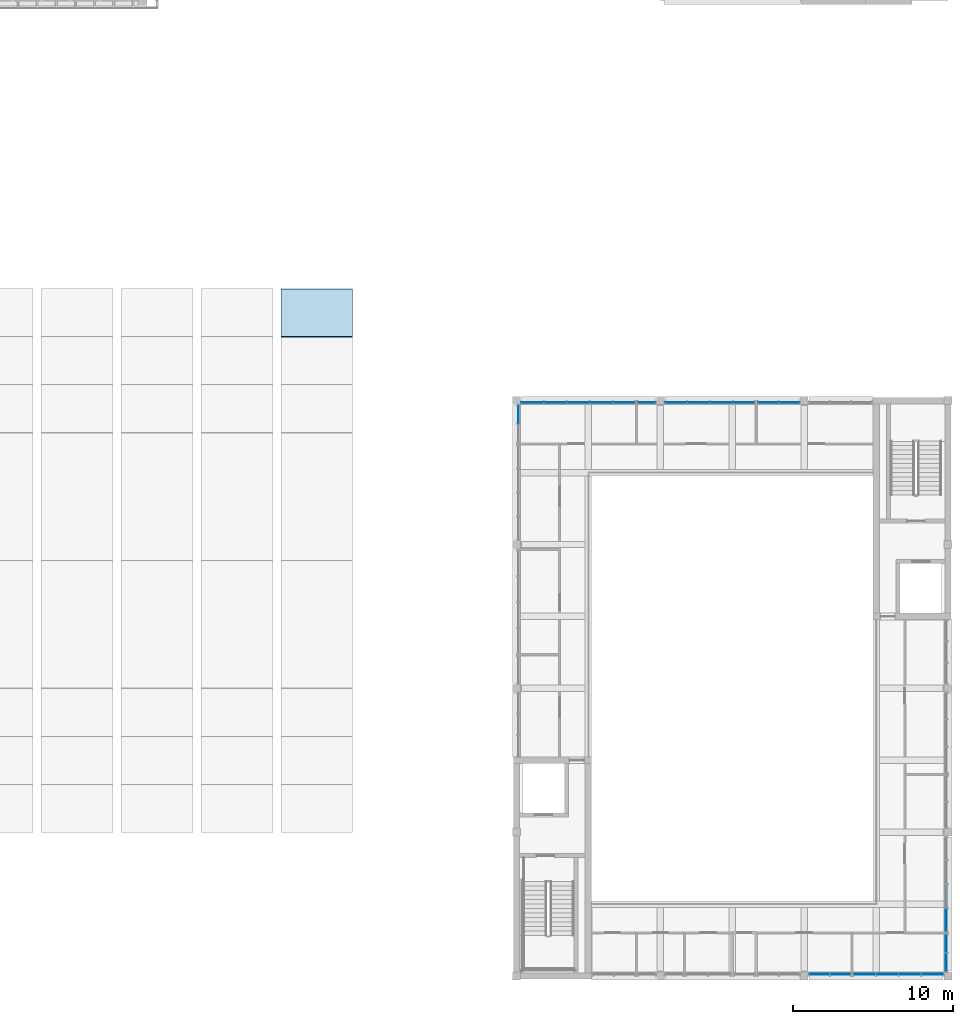
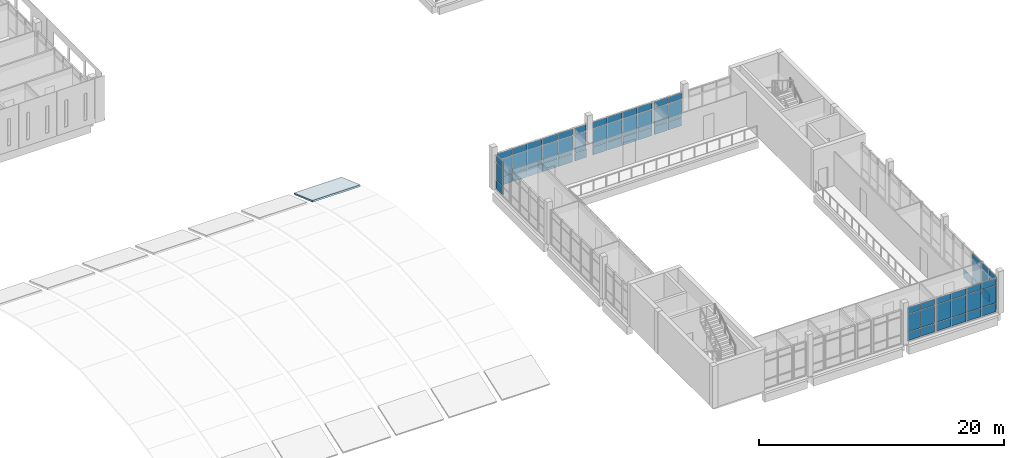
# One storey, part 32 of 74: 67 plates, 1 slab, 9 elements without a shape of their own.
"""IFC4 building model written with IfcOpenShell, lengths in metres."""

from ifc_helpers import new_model, si_unit, direction, frame, origin, origin_2d, place, context, subcontext, project, spatial, polyline, rectangle, outline, extrude, material, layer, layer_set, type_object, element, aggregate, save


model = new_model("IFC4")

# Units and contexts
model_context = context("Model", 3, precision=1e-05, world=origin(), true_north=direction((0.0, 1.0)))
body_context = subcontext(model_context, "Body", "Model", "MODEL_VIEW")
ifc_project = project(units=[si_unit("LENGTHUNIT", "METRE"), si_unit("AREAUNIT", "SQUARE_METRE"), si_unit("VOLUMEUNIT", "CUBIC_METRE"), si_unit("PLANEANGLEUNIT", "RADIAN"), si_unit("MASSUNIT", "GRAM", prefix="KILO")], contexts=[model_context])

# Site, building, storey
site_placement = place(None, origin())
site = spatial("IfcSite", under=ifc_project, at=site_placement, CompositionType="ELEMENT")
building_placement = place(site_placement, origin())
building = spatial("IfcBuilding", under=site, at=building_placement, Name="Merrow Basin Faculty of Sciences", CompositionType="ELEMENT")
storey_placement = place(building_placement, frame((0.0, 0.0, 13.5)))
storey = spatial("IfcBuildingStorey", under=building, at=storey_placement, Name="L03", CompositionType="ELEMENT", Elevation=13.5)

# Curtain wall, plates
ifc_material_1 = material(Name="Aluminium alloy 6063", Category="aluminium")
curtain_wall_type = type_object("IfcCurtainWallType", Name="Atrium unitised curtain wall 240", PredefinedType="NOTDEFINED", material=ifc_material_1)
curtain_wall_1_placement = place(storey_placement, origin())
curtain_wall_1 = element("IfcCurtainWall", 1, at=curtain_wall_1_placement, inside=storey, type_object=curtain_wall_type, Name="W curtain wall L03 5", PredefinedType="NOTDEFINED")
ifc_material_2 = material(Name="Low-E double glazing", Category="glass")
ifc_layer_1 = layer(ifc_material_2, 0.031982421875)
ifc_layer_set_1 = layer_set([ifc_layer_1], Name="Acoustic double glazed panel 32")
plate_type_1 = type_object("IfcPlateType", Name="Acoustic double glazed panel 32", PredefinedType="CURTAIN_PANEL", material=ifc_layer_set_1)
plate_1_placement = place(storey_placement, frame((45.1201171875, 35.135009765625, 0.93017578125), z_axis=(0.0, 0.0, 1.0), x_axis=(0.0, 1.0, 0.0)))
plate_1 = element("IfcPlate", 2, at=plate_1_placement, type_object=plate_type_1, Name="CW5 panel 2.2", PredefinedType="CURTAIN_PANEL", context=body_context, shape_type="SweptSolid", body=[
    extrude(rectangle(XDim=1.110107421875, YDim=0.031982421875, at=origin_2d()), origin(), (0.0, 0.0, 1.0), 1.739990234375),
])
plate_2_placement = place(storey_placement, frame((45.1201171875, 35.135009765625, 2.72998046875), z_axis=(0.0, 0.0, 1.0), x_axis=(0.0, 1.0, 0.0)))
plate_2 = element("IfcPlate", 3, at=plate_2_placement, type_object=plate_type_1, Name="CW5 panel 2.3", PredefinedType="CURTAIN_PANEL", context=body_context, shape_type="SweptSolid", body=[
    extrude(rectangle(XDim=1.110107421875, YDim=0.031982421875, at=origin_2d()), origin(), (0.0, 0.0, 1.0), 0.610107421875),
])

curtain_wall_2_placement = place(storey_placement, origin())
curtain_wall_2 = element("IfcCurtainWall", 4, at=curtain_wall_2_placement, inside=storey, type_object=curtain_wall_type, Name="N curtain wall L03 1", PredefinedType="NOTDEFINED")
plate_3_placement = place(storey_placement, frame((45.985107421875, 35.8798828125, 0.93017578125), z_axis=(0.0, 0.0, 1.0), x_axis=(1.0, 0.0, 0.0)))
plate_3 = element("IfcPlate", 5, at=plate_3_placement, type_object=plate_type_1, Name="CW5 panel 1.2", PredefinedType="CURTAIN_PANEL", context=body_context, shape_type="SweptSolid", body=[
    extrude(rectangle(XDim=1.35009765625, YDim=0.031982421875, at=origin_2d()), origin(), (0.0, 0.0, 1.0), 1.739990234375),
])
plate_4_placement = place(storey_placement, frame((45.985107421875, 35.8798828125, 2.72998046875), z_axis=(0.0, 0.0, 1.0), x_axis=(1.0, 0.0, 0.0)))
plate_4 = element("IfcPlate", 6, at=plate_4_placement, type_object=plate_type_1, Name="CW5 panel 1.3", PredefinedType="CURTAIN_PANEL", context=body_context, shape_type="SweptSolid", body=[
    extrude(rectangle(XDim=1.35009765625, YDim=0.031982421875, at=origin_2d()), origin(), (0.0, 0.0, 1.0), 0.610107421875),
])
plate_5_placement = place(storey_placement, frame((47.409912109375, 35.8798828125, 0.93017578125), z_axis=(0.0, 0.0, 1.0), x_axis=(1.0, 0.0, 0.0)))
plate_5 = element("IfcPlate", 7, at=plate_5_placement, type_object=plate_type_1, Name="CW5 panel 2.2", PredefinedType="CURTAIN_PANEL", context=body_context, shape_type="SweptSolid", body=[
    extrude(rectangle(XDim=1.3798828125, YDim=0.031982421875, at=origin_2d()), origin(), (0.0, 0.0, 1.0), 1.739990234375),
])
plate_6_placement = place(storey_placement, frame((47.409912109375, 35.8798828125, 2.72998046875), z_axis=(0.0, 0.0, 1.0), x_axis=(1.0, 0.0, 0.0)))
plate_6 = element("IfcPlate", 8, at=plate_6_placement, type_object=plate_type_1, Name="CW5 panel 2.3", PredefinedType="CURTAIN_PANEL", context=body_context, shape_type="SweptSolid", body=[
    extrude(rectangle(XDim=1.3798828125, YDim=0.031982421875, at=origin_2d()), origin(), (0.0, 0.0, 1.0), 0.610107421875),
])
plate_7_placement = place(storey_placement, frame((48.85009765625, 35.8798828125, 0.93017578125), z_axis=(0.0, 0.0, 1.0), x_axis=(1.0, 0.0, 0.0)))
plate_7 = element("IfcPlate", 9, at=plate_7_placement, type_object=plate_type_1, Name="CW5 panel 3.2", PredefinedType="CURTAIN_PANEL", context=body_context, shape_type="SweptSolid", body=[
    extrude(rectangle(XDim=1.3798828125, YDim=0.031982421875, at=origin_2d()), origin(), (0.0, 0.0, 1.0), 1.739990234375),
])
plate_8_placement = place(storey_placement, frame((48.85009765625, 35.8798828125, 2.72998046875), z_axis=(0.0, 0.0, 1.0), x_axis=(1.0, 0.0, 0.0)))
plate_8 = element("IfcPlate", 10, at=plate_8_placement, type_object=plate_type_1, Name="CW5 panel 3.3", PredefinedType="CURTAIN_PANEL", context=body_context, shape_type="SweptSolid", body=[
    extrude(rectangle(XDim=1.3798828125, YDim=0.031982421875, at=origin_2d()), origin(), (0.0, 0.0, 1.0), 0.610107421875),
])
plate_9_placement = place(storey_placement, frame((50.2900390625, 35.8798828125, 0.93017578125), z_axis=(0.0, 0.0, 1.0), x_axis=(1.0, 0.0, 0.0)))
plate_9 = element("IfcPlate", 11, at=plate_9_placement, type_object=plate_type_1, Name="CW5 panel 4.2", PredefinedType="CURTAIN_PANEL", context=body_context, shape_type="SweptSolid", body=[
    extrude(rectangle(XDim=1.3798828125, YDim=0.031982421875, at=origin_2d()), origin(), (0.0, 0.0, 1.0), 1.739990234375),
])
plate_10_placement = place(storey_placement, frame((50.2900390625, 35.8798828125, 2.72998046875), z_axis=(0.0, 0.0, 1.0), x_axis=(1.0, 0.0, 0.0)))
plate_10 = element("IfcPlate", 12, at=plate_10_placement, type_object=plate_type_1, Name="CW5 panel 4.3", PredefinedType="CURTAIN_PANEL", context=body_context, shape_type="SweptSolid", body=[
    extrude(rectangle(XDim=1.3798828125, YDim=0.031982421875, at=origin_2d()), origin(), (0.0, 0.0, 1.0), 0.610107421875),
])
plate_11_placement = place(storey_placement, frame((51.715087890625, 35.8798828125, 0.93017578125), z_axis=(0.0, 0.0, 1.0), x_axis=(1.0, 0.0, 0.0)))
plate_11 = element("IfcPlate", 13, at=plate_11_placement, type_object=plate_type_1, Name="CW5 panel 5.2", PredefinedType="CURTAIN_PANEL", context=body_context, shape_type="SweptSolid", body=[
    extrude(rectangle(XDim=1.35009765625, YDim=0.031982421875, at=origin_2d()), origin(), (0.0, 0.0, 1.0), 1.739990234375),
])
plate_12_placement = place(storey_placement, frame((51.715087890625, 35.8798828125, 2.72998046875), z_axis=(0.0, 0.0, 1.0), x_axis=(1.0, 0.0, 0.0)))
plate_12 = element("IfcPlate", 14, at=plate_12_placement, type_object=plate_type_1, Name="CW5 panel 5.3", PredefinedType="CURTAIN_PANEL", context=body_context, shape_type="SweptSolid", body=[
    extrude(rectangle(XDim=1.35009765625, YDim=0.031982421875, at=origin_2d()), origin(), (0.0, 0.0, 1.0), 0.610107421875),
])

curtain_wall_3_placement = place(storey_placement, origin())
curtain_wall_3 = element("IfcCurtainWall", 15, at=curtain_wall_3_placement, inside=storey, type_object=curtain_wall_type, Name="N curtain wall L03 2", PredefinedType="NOTDEFINED")
plate_13_placement = place(storey_placement, frame((53.14990234375, 35.8798828125, 0.93017578125), z_axis=(0.0, 0.0, 1.0), x_axis=(1.0, 0.0, 0.0)))
plate_13 = element("IfcPlate", 16, at=plate_13_placement, type_object=plate_type_1, Name="CW5 panel 1.2", PredefinedType="CURTAIN_PANEL", context=body_context, shape_type="SweptSolid", body=[
    extrude(rectangle(XDim=1.080078125, YDim=0.031982421875, at=origin_2d()), origin(), (0.0, 0.0, 1.0), 1.739990234375),
])
plate_14_placement = place(storey_placement, frame((53.14990234375, 35.8798828125, 2.72998046875), z_axis=(0.0, 0.0, 1.0), x_axis=(1.0, 0.0, 0.0)))
plate_14 = element("IfcPlate", 17, at=plate_14_placement, type_object=plate_type_1, Name="CW5 panel 1.3", PredefinedType="CURTAIN_PANEL", context=body_context, shape_type="SweptSolid", body=[
    extrude(rectangle(XDim=1.080078125, YDim=0.031982421875, at=origin_2d()), origin(), (0.0, 0.0, 1.0), 0.610107421875),
])

curtain_wall_4_placement = place(storey_placement, origin())
curtain_wall_4 = element("IfcCurtainWall", 18, at=curtain_wall_4_placement, inside=storey, type_object=curtain_wall_type, Name="N curtain wall L03 3", PredefinedType="NOTDEFINED")
plate_15_placement = place(storey_placement, frame((54.9775390625, 35.8798828125, 0.93017578125), z_axis=(0.0, 0.0, 1.0), x_axis=(1.0, 0.0, 0.0)))
plate_15 = element("IfcPlate", 19, at=plate_15_placement, type_object=plate_type_1, Name="CW5 panel 1.2", PredefinedType="CURTAIN_PANEL", context=body_context, shape_type="SweptSolid", body=[
    extrude(rectangle(XDim=1.3349609375, YDim=0.031982421875, at=origin_2d()), origin(), (0.0, 0.0, 1.0), 1.739990234375),
])
plate_16_placement = place(storey_placement, frame((54.9775390625, 35.8798828125, 2.72998046875), z_axis=(0.0, 0.0, 1.0), x_axis=(1.0, 0.0, 0.0)))
plate_16 = element("IfcPlate", 20, at=plate_16_placement, type_object=plate_type_1, Name="CW5 panel 1.3", PredefinedType="CURTAIN_PANEL", context=body_context, shape_type="SweptSolid", body=[
    extrude(rectangle(XDim=1.3349609375, YDim=0.031982421875, at=origin_2d()), origin(), (0.0, 0.0, 1.0), 0.610107421875),
])
plate_17_placement = place(storey_placement, frame((56.387451171875, 35.8798828125, 0.93017578125), z_axis=(0.0, 0.0, 1.0), x_axis=(1.0, 0.0, 0.0)))
plate_17 = element("IfcPlate", 21, at=plate_17_placement, type_object=plate_type_1, Name="CW5 panel 2.2", PredefinedType="CURTAIN_PANEL", context=body_context, shape_type="SweptSolid", body=[
    extrude(rectangle(XDim=1.364990234375, YDim=0.031982421875, at=origin_2d()), origin(), (0.0, 0.0, 1.0), 1.739990234375),
])
plate_18_placement = place(storey_placement, frame((56.387451171875, 35.8798828125, 2.72998046875), z_axis=(0.0, 0.0, 1.0), x_axis=(1.0, 0.0, 0.0)))
plate_18 = element("IfcPlate", 22, at=plate_18_placement, type_object=plate_type_1, Name="CW5 panel 2.3", PredefinedType="CURTAIN_PANEL", context=body_context, shape_type="SweptSolid", body=[
    extrude(rectangle(XDim=1.364990234375, YDim=0.031982421875, at=origin_2d()), origin(), (0.0, 0.0, 1.0), 0.610107421875),
])
plate_19_placement = place(storey_placement, frame((57.8125, 35.8798828125, 0.93017578125), z_axis=(0.0, 0.0, 1.0), x_axis=(1.0, 0.0, 0.0)))
plate_19 = element("IfcPlate", 23, at=plate_19_placement, type_object=plate_type_1, Name="CW5 panel 3.2", PredefinedType="CURTAIN_PANEL", context=body_context, shape_type="SweptSolid", body=[
    extrude(rectangle(XDim=1.364990234375, YDim=0.031982421875, at=origin_2d()), origin(), (0.0, 0.0, 1.0), 1.739990234375),
])
plate_20_placement = place(storey_placement, frame((57.8125, 35.8798828125, 2.72998046875), z_axis=(0.0, 0.0, 1.0), x_axis=(1.0, 0.0, 0.0)))
plate_20 = element("IfcPlate", 24, at=plate_20_placement, type_object=plate_type_1, Name="CW5 panel 3.3", PredefinedType="CURTAIN_PANEL", context=body_context, shape_type="SweptSolid", body=[
    extrude(rectangle(XDim=1.364990234375, YDim=0.031982421875, at=origin_2d()), origin(), (0.0, 0.0, 1.0), 0.610107421875),
])
plate_21_placement = place(storey_placement, frame((59.222412109375, 35.8798828125, 0.93017578125), z_axis=(0.0, 0.0, 1.0), x_axis=(1.0, 0.0, 0.0)))
plate_21 = element("IfcPlate", 25, at=plate_21_placement, type_object=plate_type_1, Name="CW5 panel 4.2", PredefinedType="CURTAIN_PANEL", context=body_context, shape_type="SweptSolid", body=[
    extrude(rectangle(XDim=1.3349609375, YDim=0.031982421875, at=origin_2d()), origin(), (0.0, 0.0, 1.0), 1.739990234375),
])
plate_22_placement = place(storey_placement, frame((59.222412109375, 35.8798828125, 2.72998046875), z_axis=(0.0, 0.0, 1.0), x_axis=(1.0, 0.0, 0.0)))
plate_22 = element("IfcPlate", 26, at=plate_22_placement, type_object=plate_type_1, Name="CW5 panel 4.3", PredefinedType="CURTAIN_PANEL", context=body_context, shape_type="SweptSolid", body=[
    extrude(rectangle(XDim=1.3349609375, YDim=0.031982421875, at=origin_2d()), origin(), (0.0, 0.0, 1.0), 0.610107421875),
])

curtain_wall_5_placement = place(storey_placement, origin())
curtain_wall_5 = element("IfcCurtainWall", 27, at=curtain_wall_5_placement, inside=storey, type_object=curtain_wall_type, Name="N curtain wall L03 4", PredefinedType="NOTDEFINED")
plate_23_placement = place(storey_placement, frame((60.739990234375, 35.8798828125, 0.93017578125), z_axis=(0.0, 0.0, 1.0), x_axis=(1.0, 0.0, 0.0)))
plate_23 = element("IfcPlate", 28, at=plate_23_placement, type_object=plate_type_1, Name="CW5 panel 1.2", PredefinedType="CURTAIN_PANEL", context=body_context, shape_type="SweptSolid", body=[
    extrude(rectangle(XDim=1.260009765625, YDim=0.031982421875, at=origin_2d()), origin(), (0.0, 0.0, 1.0), 1.739990234375),
])
plate_24_placement = place(storey_placement, frame((60.739990234375, 35.8798828125, 2.72998046875), z_axis=(0.0, 0.0, 1.0), x_axis=(1.0, 0.0, 0.0)))
plate_24 = element("IfcPlate", 29, at=plate_24_placement, type_object=plate_type_1, Name="CW5 panel 1.3", PredefinedType="CURTAIN_PANEL", context=body_context, shape_type="SweptSolid", body=[
    extrude(rectangle(XDim=1.260009765625, YDim=0.031982421875, at=origin_2d()), origin(), (0.0, 0.0, 1.0), 0.610107421875),
])
plate_25_placement = place(storey_placement, frame((62.06005859375, 35.8798828125, 0.93017578125), z_axis=(0.0, 0.0, 1.0), x_axis=(1.0, 0.0, 0.0)))
plate_25 = element("IfcPlate", 30, at=plate_25_placement, type_object=plate_type_1, Name="CW5 panel 2.2", PredefinedType="CURTAIN_PANEL", context=body_context, shape_type="SweptSolid", body=[
    extrude(rectangle(XDim=1.260009765625, YDim=0.031982421875, at=origin_2d()), origin(), (0.0, 0.0, 1.0), 1.739990234375),
])
plate_26_placement = place(storey_placement, frame((62.06005859375, 35.8798828125, 2.72998046875), z_axis=(0.0, 0.0, 1.0), x_axis=(1.0, 0.0, 0.0)))
plate_26 = element("IfcPlate", 31, at=plate_26_placement, type_object=plate_type_1, Name="CW5 panel 2.3", PredefinedType="CURTAIN_PANEL", context=body_context, shape_type="SweptSolid", body=[
    extrude(rectangle(XDim=1.260009765625, YDim=0.031982421875, at=origin_2d()), origin(), (0.0, 0.0, 1.0), 0.610107421875),
])

curtain_wall_6_placement = place(storey_placement, origin())
curtain_wall_6 = element("IfcCurtainWall", 32, at=curtain_wall_6_placement, inside=storey, type_object=curtain_wall_type, Name="E curtain wall L03 1", PredefinedType="NOTDEFINED")
plate_27_placement = place(storey_placement, frame((71.8798828125, 0.864990234375, 0.93017578125), z_axis=(0.0, 0.0, 1.0), x_axis=(0.0, 1.0, 0.0)))
plate_27 = element("IfcPlate", 33, at=plate_27_placement, type_object=plate_type_1, Name="CW5 panel 1.2", PredefinedType="CURTAIN_PANEL", context=body_context, shape_type="SweptSolid", body=[
    extrude(rectangle(XDim=1.110107421875, YDim=0.031982421875, at=origin_2d()), origin(), (0.0, 0.0, 1.0), 1.739990234375),
])
plate_28_placement = place(storey_placement, frame((71.8798828125, 0.864990234375, 2.72998046875), z_axis=(0.0, 0.0, 1.0), x_axis=(0.0, 1.0, 0.0)))
plate_28 = element("IfcPlate", 34, at=plate_28_placement, type_object=plate_type_1, Name="CW5 panel 1.3", PredefinedType="CURTAIN_PANEL", context=body_context, shape_type="SweptSolid", body=[
    extrude(rectangle(XDim=1.110107421875, YDim=0.031982421875, at=origin_2d()), origin(), (0.0, 0.0, 1.0), 0.610107421875),
])
plate_29_placement = place(storey_placement, frame((71.8798828125, 2.034912109375, 0.93017578125), z_axis=(0.0, 0.0, 1.0), x_axis=(0.0, 1.0, 0.0)))
plate_29 = element("IfcPlate", 35, at=plate_29_placement, type_object=plate_type_1, Name="CW5 panel 2.2", PredefinedType="CURTAIN_PANEL", context=body_context, shape_type="SweptSolid", body=[
    extrude(rectangle(XDim=1.110107421875, YDim=0.031982421875, at=origin_2d()), origin(), (0.0, 0.0, 1.0), 1.739990234375),
])
plate_30_placement = place(storey_placement, frame((71.8798828125, 2.034912109375, 2.72998046875), z_axis=(0.0, 0.0, 1.0), x_axis=(0.0, 1.0, 0.0)))
plate_30 = element("IfcPlate", 36, at=plate_30_placement, type_object=plate_type_1, Name="CW5 panel 2.3", PredefinedType="CURTAIN_PANEL", context=body_context, shape_type="SweptSolid", body=[
    extrude(rectangle(XDim=1.110107421875, YDim=0.031982421875, at=origin_2d()), origin(), (0.0, 0.0, 1.0), 0.610107421875),
])

curtain_wall_7_placement = place(storey_placement, origin())
curtain_wall_7 = element("IfcCurtainWall", 37, at=curtain_wall_7_placement, inside=storey, type_object=curtain_wall_type, Name="E curtain wall L03 2", PredefinedType="NOTDEFINED")
plate_31_placement = place(storey_placement, frame((71.8798828125, 3.514892578125, 0.93017578125), z_axis=(0.0, 0.0, 1.0), x_axis=(0.0, 1.0, 0.0)))
plate_31 = element("IfcPlate", 38, at=plate_31_placement, type_object=plate_type_1, Name="CW5 panel 1.2", PredefinedType="CURTAIN_PANEL", context=body_context, shape_type="SweptSolid", body=[
    extrude(rectangle(XDim=1.409912109375, YDim=0.031982421875, at=origin_2d()), origin(), (0.0, 0.0, 1.0), 1.739990234375),
])
plate_32_placement = place(storey_placement, frame((71.8798828125, 3.514892578125, 2.72998046875), z_axis=(0.0, 0.0, 1.0), x_axis=(0.0, 1.0, 0.0)))
plate_32 = element("IfcPlate", 39, at=plate_32_placement, type_object=plate_type_1, Name="CW5 panel 1.3", PredefinedType="CURTAIN_PANEL", context=body_context, shape_type="SweptSolid", body=[
    extrude(rectangle(XDim=1.409912109375, YDim=0.031982421875, at=origin_2d()), origin(), (0.0, 0.0, 1.0), 0.610107421875),
])

curtain_wall_8_placement = place(storey_placement, origin())
curtain_wall_8 = element("IfcCurtainWall", 40, at=curtain_wall_8_placement, inside=storey, type_object=curtain_wall_type, Name="S curtain wall L03 7", PredefinedType="NOTDEFINED")
plate_33_placement = place(storey_placement, frame((63.93994140625, 0.1201171875, 0.93017578125), z_axis=(0.0, 0.0, 1.0), x_axis=(1.0, 0.0, 0.0)))
plate_33 = element("IfcPlate", 41, at=plate_33_placement, type_object=plate_type_1, Name="CW5 panel 1.2", PredefinedType="CURTAIN_PANEL", context=body_context, shape_type="SweptSolid", body=[
    extrude(rectangle(XDim=1.260009765625, YDim=0.031982421875, at=origin_2d()), origin(), (0.0, 0.0, 1.0), 1.739990234375),
])
plate_34_placement = place(storey_placement, frame((63.93994140625, 0.1201171875, 2.72998046875), z_axis=(0.0, 0.0, 1.0), x_axis=(1.0, 0.0, 0.0)))
plate_34 = element("IfcPlate", 42, at=plate_34_placement, type_object=plate_type_1, Name="CW5 panel 1.3", PredefinedType="CURTAIN_PANEL", context=body_context, shape_type="SweptSolid", body=[
    extrude(rectangle(XDim=1.260009765625, YDim=0.031982421875, at=origin_2d()), origin(), (0.0, 0.0, 1.0), 0.610107421875),
])
plate_35_placement = place(storey_placement, frame((65.260009765625, 0.1201171875, 0.93017578125), z_axis=(0.0, 0.0, 1.0), x_axis=(1.0, 0.0, 0.0)))
plate_35 = element("IfcPlate", 43, at=plate_35_placement, type_object=plate_type_1, Name="CW5 panel 2.2", PredefinedType="CURTAIN_PANEL", context=body_context, shape_type="SweptSolid", body=[
    extrude(rectangle(XDim=1.260009765625, YDim=0.031982421875, at=origin_2d()), origin(), (0.0, 0.0, 1.0), 1.739990234375),
])
plate_36_placement = place(storey_placement, frame((65.260009765625, 0.1201171875, 2.72998046875), z_axis=(0.0, 0.0, 1.0), x_axis=(1.0, 0.0, 0.0)))
plate_36 = element("IfcPlate", 44, at=plate_36_placement, type_object=plate_type_1, Name="CW5 panel 2.3", PredefinedType="CURTAIN_PANEL", context=body_context, shape_type="SweptSolid", body=[
    extrude(rectangle(XDim=1.260009765625, YDim=0.031982421875, at=origin_2d()), origin(), (0.0, 0.0, 1.0), 0.610107421875),
])

curtain_wall_9_placement = place(storey_placement, origin())
curtain_wall_9 = element("IfcCurtainWall", 45, at=curtain_wall_9_placement, inside=storey, type_object=curtain_wall_type, Name="S curtain wall L03 8", PredefinedType="NOTDEFINED")
plate_37_placement = place(storey_placement, frame((66.777587890625, 0.1201171875, 0.93017578125), z_axis=(0.0, 0.0, 1.0), x_axis=(1.0, 0.0, 0.0)))
plate_37 = element("IfcPlate", 46, at=plate_37_placement, type_object=plate_type_1, Name="CW5 panel 1.2", PredefinedType="CURTAIN_PANEL", context=body_context, shape_type="SweptSolid", body=[
    extrude(rectangle(XDim=1.3349609375, YDim=0.031982421875, at=origin_2d()), origin(), (0.0, 0.0, 1.0), 1.739990234375),
])
plate_38_placement = place(storey_placement, frame((66.777587890625, 0.1201171875, 2.72998046875), z_axis=(0.0, 0.0, 1.0), x_axis=(1.0, 0.0, 0.0)))
plate_38 = element("IfcPlate", 47, at=plate_38_placement, type_object=plate_type_1, Name="CW5 panel 1.3", PredefinedType="CURTAIN_PANEL", context=body_context, shape_type="SweptSolid", body=[
    extrude(rectangle(XDim=1.3349609375, YDim=0.031982421875, at=origin_2d()), origin(), (0.0, 0.0, 1.0), 0.610107421875),
])
plate_39_placement = place(storey_placement, frame((68.1875, 0.1201171875, 0.93017578125), z_axis=(0.0, 0.0, 1.0), x_axis=(1.0, 0.0, 0.0)))
plate_39 = element("IfcPlate", 48, at=plate_39_placement, type_object=plate_type_1, Name="CW5 panel 2.2", PredefinedType="CURTAIN_PANEL", context=body_context, shape_type="SweptSolid", body=[
    extrude(rectangle(XDim=1.364990234375, YDim=0.031982421875, at=origin_2d()), origin(), (0.0, 0.0, 1.0), 1.739990234375),
])
plate_40_placement = place(storey_placement, frame((68.1875, 0.1201171875, 2.72998046875), z_axis=(0.0, 0.0, 1.0), x_axis=(1.0, 0.0, 0.0)))
plate_40 = element("IfcPlate", 49, at=plate_40_placement, type_object=plate_type_1, Name="CW5 panel 2.3", PredefinedType="CURTAIN_PANEL", context=body_context, shape_type="SweptSolid", body=[
    extrude(rectangle(XDim=1.364990234375, YDim=0.031982421875, at=origin_2d()), origin(), (0.0, 0.0, 1.0), 0.610107421875),
])
plate_41_placement = place(storey_placement, frame((69.612548828125, 0.1201171875, 0.93017578125), z_axis=(0.0, 0.0, 1.0), x_axis=(1.0, 0.0, 0.0)))
plate_41 = element("IfcPlate", 50, at=plate_41_placement, type_object=plate_type_1, Name="CW5 panel 3.2", PredefinedType="CURTAIN_PANEL", context=body_context, shape_type="SweptSolid", body=[
    extrude(rectangle(XDim=1.364990234375, YDim=0.031982421875, at=origin_2d()), origin(), (0.0, 0.0, 1.0), 1.739990234375),
])
plate_42_placement = place(storey_placement, frame((69.612548828125, 0.1201171875, 2.72998046875), z_axis=(0.0, 0.0, 1.0), x_axis=(1.0, 0.0, 0.0)))
plate_42 = element("IfcPlate", 51, at=plate_42_placement, type_object=plate_type_1, Name="CW5 panel 3.3", PredefinedType="CURTAIN_PANEL", context=body_context, shape_type="SweptSolid", body=[
    extrude(rectangle(XDim=1.364990234375, YDim=0.031982421875, at=origin_2d()), origin(), (0.0, 0.0, 1.0), 0.610107421875),
])
plate_43_placement = place(storey_placement, frame((71.0224609375, 0.1201171875, 0.93017578125), z_axis=(0.0, 0.0, 1.0), x_axis=(1.0, 0.0, 0.0)))
plate_43 = element("IfcPlate", 52, at=plate_43_placement, type_object=plate_type_1, Name="CW5 panel 4.2", PredefinedType="CURTAIN_PANEL", context=body_context, shape_type="SweptSolid", body=[
    extrude(rectangle(XDim=1.3349609375, YDim=0.031982421875, at=origin_2d()), origin(), (0.0, 0.0, 1.0), 1.739990234375),
])
plate_44_placement = place(storey_placement, frame((71.0224609375, 0.1201171875, 2.72998046875), z_axis=(0.0, 0.0, 1.0), x_axis=(1.0, 0.0, 0.0)))
plate_44 = element("IfcPlate", 53, at=plate_44_placement, type_object=plate_type_1, Name="CW5 panel 4.3", PredefinedType="CURTAIN_PANEL", context=body_context, shape_type="SweptSolid", body=[
    extrude(rectangle(XDim=1.3349609375, YDim=0.031982421875, at=origin_2d()), origin(), (0.0, 0.0, 1.0), 0.610107421875),
])

# Plate
ifc_material_3 = material(Name="Insulated aluminium spandrel panel", Category="aluminium")
ifc_layer_2 = layer(ifc_material_3, 0.052001953125)
ifc_layer_set_2 = layer_set([ifc_layer_2], Name="Insulated spandrel panel 52")
plate_type_2 = type_object("IfcPlateType", Name="Insulated spandrel panel 52", PredefinedType="CURTAIN_PANEL", material=ifc_layer_set_2)
plate_45_placement = place(storey_placement, frame((45.1201171875, 35.135009765625, 0.06005859375), z_axis=(0.0, 0.0, 1.0), x_axis=(0.0, 1.0, 0.0)))
plate_45 = element("IfcPlate", 54, at=plate_45_placement, type_object=plate_type_2, Name="CW5 panel 2.1", PredefinedType="CURTAIN_PANEL", context=body_context, shape_type="SweptSolid", body=[
    extrude(rectangle(XDim=1.110107421875, YDim=0.052001953125, at=origin_2d()), origin(), (0.0, 0.0, 1.0), 0.81005859375),
])

aggregate(curtain_wall_1, [plate_45, plate_1, plate_2])

plate_46_placement = place(storey_placement, frame((45.985107421875, 35.8798828125, 0.06005859375), z_axis=(0.0, 0.0, 1.0), x_axis=(1.0, 0.0, 0.0)))
plate_46 = element("IfcPlate", 55, at=plate_46_placement, type_object=plate_type_2, Name="CW5 panel 1.1", PredefinedType="CURTAIN_PANEL", context=body_context, shape_type="SweptSolid", body=[
    extrude(rectangle(XDim=1.35009765625, YDim=0.052001953125, at=origin_2d()), origin(), (0.0, 0.0, 1.0), 0.81005859375),
])

plate_47_placement = place(storey_placement, frame((47.409912109375, 35.8798828125, 0.06005859375), z_axis=(0.0, 0.0, 1.0), x_axis=(1.0, 0.0, 0.0)))
plate_47 = element("IfcPlate", 56, at=plate_47_placement, type_object=plate_type_2, Name="CW5 panel 2.1", PredefinedType="CURTAIN_PANEL", context=body_context, shape_type="SweptSolid", body=[
    extrude(rectangle(XDim=1.3798828125, YDim=0.052001953125, at=origin_2d()), origin(), (0.0, 0.0, 1.0), 0.81005859375),
])

plate_48_placement = place(storey_placement, frame((48.85009765625, 35.8798828125, 0.06005859375), z_axis=(0.0, 0.0, 1.0), x_axis=(1.0, 0.0, 0.0)))
plate_48 = element("IfcPlate", 57, at=plate_48_placement, type_object=plate_type_2, Name="CW5 panel 3.1", PredefinedType="CURTAIN_PANEL", context=body_context, shape_type="SweptSolid", body=[
    extrude(rectangle(XDim=1.3798828125, YDim=0.052001953125, at=origin_2d()), origin(), (0.0, 0.0, 1.0), 0.81005859375),
])

plate_49_placement = place(storey_placement, frame((50.2900390625, 35.8798828125, 0.06005859375), z_axis=(0.0, 0.0, 1.0), x_axis=(1.0, 0.0, 0.0)))
plate_49 = element("IfcPlate", 58, at=plate_49_placement, type_object=plate_type_2, Name="CW5 panel 4.1", PredefinedType="CURTAIN_PANEL", context=body_context, shape_type="SweptSolid", body=[
    extrude(rectangle(XDim=1.3798828125, YDim=0.052001953125, at=origin_2d()), origin(), (0.0, 0.0, 1.0), 0.81005859375),
])

plate_50_placement = place(storey_placement, frame((51.715087890625, 35.8798828125, 0.06005859375), z_axis=(0.0, 0.0, 1.0), x_axis=(1.0, 0.0, 0.0)))
plate_50 = element("IfcPlate", 59, at=plate_50_placement, type_object=plate_type_2, Name="CW5 panel 5.1", PredefinedType="CURTAIN_PANEL", context=body_context, shape_type="SweptSolid", body=[
    extrude(rectangle(XDim=1.35009765625, YDim=0.052001953125, at=origin_2d()), origin(), (0.0, 0.0, 1.0), 0.81005859375),
])

aggregate(curtain_wall_2, [plate_46, plate_3, plate_4, plate_47, plate_5, plate_6, plate_48, plate_7, plate_8, plate_49, plate_9, plate_10, plate_50, plate_11, plate_12])

plate_51_placement = place(storey_placement, frame((53.14990234375, 35.8798828125, 0.06005859375), z_axis=(0.0, 0.0, 1.0), x_axis=(1.0, 0.0, 0.0)))
plate_51 = element("IfcPlate", 60, at=plate_51_placement, type_object=plate_type_2, Name="CW5 panel 1.1", PredefinedType="CURTAIN_PANEL", context=body_context, shape_type="SweptSolid", body=[
    extrude(rectangle(XDim=1.080078125, YDim=0.052001953125, at=origin_2d()), origin(), (0.0, 0.0, 1.0), 0.81005859375),
])

aggregate(curtain_wall_3, [plate_51, plate_13, plate_14])

plate_52_placement = place(storey_placement, frame((54.9775390625, 35.8798828125, 0.06005859375), z_axis=(0.0, 0.0, 1.0), x_axis=(1.0, 0.0, 0.0)))
plate_52 = element("IfcPlate", 61, at=plate_52_placement, type_object=plate_type_2, Name="CW5 panel 1.1", PredefinedType="CURTAIN_PANEL", context=body_context, shape_type="SweptSolid", body=[
    extrude(rectangle(XDim=1.3349609375, YDim=0.052001953125, at=origin_2d()), origin(), (0.0, 0.0, 1.0), 0.81005859375),
])

plate_53_placement = place(storey_placement, frame((56.387451171875, 35.8798828125, 0.06005859375), z_axis=(0.0, 0.0, 1.0), x_axis=(1.0, 0.0, 0.0)))
plate_53 = element("IfcPlate", 62, at=plate_53_placement, type_object=plate_type_2, Name="CW5 panel 2.1", PredefinedType="CURTAIN_PANEL", context=body_context, shape_type="SweptSolid", body=[
    extrude(rectangle(XDim=1.364990234375, YDim=0.052001953125, at=origin_2d()), origin(), (0.0, 0.0, 1.0), 0.81005859375),
])

plate_54_placement = place(storey_placement, frame((57.8125, 35.8798828125, 0.06005859375), z_axis=(0.0, 0.0, 1.0), x_axis=(1.0, 0.0, 0.0)))
plate_54 = element("IfcPlate", 63, at=plate_54_placement, type_object=plate_type_2, Name="CW5 panel 3.1", PredefinedType="CURTAIN_PANEL", context=body_context, shape_type="SweptSolid", body=[
    extrude(rectangle(XDim=1.364990234375, YDim=0.052001953125, at=origin_2d()), origin(), (0.0, 0.0, 1.0), 0.81005859375),
])

plate_55_placement = place(storey_placement, frame((59.222412109375, 35.8798828125, 0.06005859375), z_axis=(0.0, 0.0, 1.0), x_axis=(1.0, 0.0, 0.0)))
plate_55 = element("IfcPlate", 64, at=plate_55_placement, type_object=plate_type_2, Name="CW5 panel 4.1", PredefinedType="CURTAIN_PANEL", context=body_context, shape_type="SweptSolid", body=[
    extrude(rectangle(XDim=1.3349609375, YDim=0.052001953125, at=origin_2d()), origin(), (0.0, 0.0, 1.0), 0.81005859375),
])

aggregate(curtain_wall_4, [plate_52, plate_15, plate_16, plate_53, plate_17, plate_18, plate_54, plate_19, plate_20, plate_55, plate_21, plate_22])

plate_56_placement = place(storey_placement, frame((60.739990234375, 35.8798828125, 0.06005859375), z_axis=(0.0, 0.0, 1.0), x_axis=(1.0, 0.0, 0.0)))
plate_56 = element("IfcPlate", 65, at=plate_56_placement, type_object=plate_type_2, Name="CW5 panel 1.1", PredefinedType="CURTAIN_PANEL", context=body_context, shape_type="SweptSolid", body=[
    extrude(rectangle(XDim=1.260009765625, YDim=0.052001953125, at=origin_2d()), origin(), (0.0, 0.0, 1.0), 0.81005859375),
])

plate_57_placement = place(storey_placement, frame((62.06005859375, 35.8798828125, 0.06005859375), z_axis=(0.0, 0.0, 1.0), x_axis=(1.0, 0.0, 0.0)))
plate_57 = element("IfcPlate", 66, at=plate_57_placement, type_object=plate_type_2, Name="CW5 panel 2.1", PredefinedType="CURTAIN_PANEL", context=body_context, shape_type="SweptSolid", body=[
    extrude(rectangle(XDim=1.260009765625, YDim=0.052001953125, at=origin_2d()), origin(), (0.0, 0.0, 1.0), 0.81005859375),
])

aggregate(curtain_wall_5, [plate_56, plate_23, plate_24, plate_57, plate_25, plate_26])

plate_58_placement = place(storey_placement, frame((71.8798828125, 0.864990234375, 0.06005859375), z_axis=(0.0, 0.0, 1.0), x_axis=(0.0, 1.0, 0.0)))
plate_58 = element("IfcPlate", 67, at=plate_58_placement, type_object=plate_type_2, Name="CW5 panel 1.1", PredefinedType="CURTAIN_PANEL", context=body_context, shape_type="SweptSolid", body=[
    extrude(rectangle(XDim=1.110107421875, YDim=0.052001953125, at=origin_2d()), origin(), (0.0, 0.0, 1.0), 0.81005859375),
])

plate_59_placement = place(storey_placement, frame((71.8798828125, 2.034912109375, 0.06005859375), z_axis=(0.0, 0.0, 1.0), x_axis=(0.0, 1.0, 0.0)))
plate_59 = element("IfcPlate", 68, at=plate_59_placement, type_object=plate_type_2, Name="CW5 panel 2.1", PredefinedType="CURTAIN_PANEL", context=body_context, shape_type="SweptSolid", body=[
    extrude(rectangle(XDim=1.110107421875, YDim=0.052001953125, at=origin_2d()), origin(), (0.0, 0.0, 1.0), 0.81005859375),
])

aggregate(curtain_wall_6, [plate_58, plate_27, plate_28, plate_59, plate_29, plate_30])

plate_60_placement = place(storey_placement, frame((71.8798828125, 3.514892578125, 0.06005859375), z_axis=(0.0, 0.0, 1.0), x_axis=(0.0, 1.0, 0.0)))
plate_60 = element("IfcPlate", 69, at=plate_60_placement, type_object=plate_type_2, Name="CW5 panel 1.1", PredefinedType="CURTAIN_PANEL", context=body_context, shape_type="SweptSolid", body=[
    extrude(rectangle(XDim=1.409912109375, YDim=0.052001953125, at=origin_2d()), origin(), (0.0, 0.0, 1.0), 0.81005859375),
])

plate_61_placement = place(storey_placement, frame((71.8798828125, 5.0, 0.06005859375), z_axis=(0.0, 0.0, 1.0), x_axis=(0.0, 1.0, 0.0)))
plate_61 = element("IfcPlate", 70, at=plate_61_placement, type_object=plate_type_2, Name="CW5 panel 2.1", PredefinedType="CURTAIN_PANEL", context=body_context, shape_type="SweptSolid", body=[
    extrude(rectangle(XDim=1.43994140625, YDim=0.052001953125, at=origin_2d()), origin(), (0.0, 0.0, 1.0), 0.81005859375),
])

aggregate(curtain_wall_7, [plate_60, plate_31, plate_32, plate_61])

plate_62_placement = place(storey_placement, frame((63.93994140625, 0.1201171875, 0.06005859375), z_axis=(0.0, 0.0, 1.0), x_axis=(1.0, 0.0, 0.0)))
plate_62 = element("IfcPlate", 71, at=plate_62_placement, type_object=plate_type_2, Name="CW5 panel 1.1", PredefinedType="CURTAIN_PANEL", context=body_context, shape_type="SweptSolid", body=[
    extrude(rectangle(XDim=1.260009765625, YDim=0.052001953125, at=origin_2d()), origin(), (0.0, 0.0, 1.0), 0.81005859375),
])

plate_63_placement = place(storey_placement, frame((65.260009765625, 0.1201171875, 0.06005859375), z_axis=(0.0, 0.0, 1.0), x_axis=(1.0, 0.0, 0.0)))
plate_63 = element("IfcPlate", 72, at=plate_63_placement, type_object=plate_type_2, Name="CW5 panel 2.1", PredefinedType="CURTAIN_PANEL", context=body_context, shape_type="SweptSolid", body=[
    extrude(rectangle(XDim=1.260009765625, YDim=0.052001953125, at=origin_2d()), origin(), (0.0, 0.0, 1.0), 0.81005859375),
])

aggregate(curtain_wall_8, [plate_62, plate_33, plate_34, plate_63, plate_35, plate_36])

plate_64_placement = place(storey_placement, frame((66.777587890625, 0.1201171875, 0.06005859375), z_axis=(0.0, 0.0, 1.0), x_axis=(1.0, 0.0, 0.0)))
plate_64 = element("IfcPlate", 73, at=plate_64_placement, type_object=plate_type_2, Name="CW5 panel 1.1", PredefinedType="CURTAIN_PANEL", context=body_context, shape_type="SweptSolid", body=[
    extrude(rectangle(XDim=1.3349609375, YDim=0.052001953125, at=origin_2d()), origin(), (0.0, 0.0, 1.0), 0.81005859375),
])

plate_65_placement = place(storey_placement, frame((68.1875, 0.1201171875, 0.06005859375), z_axis=(0.0, 0.0, 1.0), x_axis=(1.0, 0.0, 0.0)))
plate_65 = element("IfcPlate", 74, at=plate_65_placement, type_object=plate_type_2, Name="CW5 panel 2.1", PredefinedType="CURTAIN_PANEL", context=body_context, shape_type="SweptSolid", body=[
    extrude(rectangle(XDim=1.364990234375, YDim=0.052001953125, at=origin_2d()), origin(), (0.0, 0.0, 1.0), 0.81005859375),
])

plate_66_placement = place(storey_placement, frame((69.612548828125, 0.1201171875, 0.06005859375), z_axis=(0.0, 0.0, 1.0), x_axis=(1.0, 0.0, 0.0)))
plate_66 = element("IfcPlate", 75, at=plate_66_placement, type_object=plate_type_2, Name="CW5 panel 3.1", PredefinedType="CURTAIN_PANEL", context=body_context, shape_type="SweptSolid", body=[
    extrude(rectangle(XDim=1.364990234375, YDim=0.052001953125, at=origin_2d()), origin(), (0.0, 0.0, 1.0), 0.81005859375),
])

plate_67_placement = place(storey_placement, frame((71.0224609375, 0.1201171875, 0.06005859375), z_axis=(0.0, 0.0, 1.0), x_axis=(1.0, 0.0, 0.0)))
plate_67 = element("IfcPlate", 76, at=plate_67_placement, type_object=plate_type_2, Name="CW5 panel 4.1", PredefinedType="CURTAIN_PANEL", context=body_context, shape_type="SweptSolid", body=[
    extrude(rectangle(XDim=1.3349609375, YDim=0.052001953125, at=origin_2d()), origin(), (0.0, 0.0, 1.0), 0.81005859375),
])

aggregate(curtain_wall_9, [plate_64, plate_37, plate_38, plate_65, plate_39, plate_40, plate_66, plate_41, plate_42, plate_67, plate_43, plate_44])

# Slab
ifc_material_4 = material(Name="Concrete C50/60", Category="concrete")
ifc_layer_3 = layer(ifc_material_4, 0.14990234375)
ifc_layer_set_3 = layer_set([ifc_layer_3], Name="Shell strip 150 Concrete C50/60")
slab_type = type_object("IfcSlabType", Name="Shell strip 150 Concrete C50/60", PredefinedType="ROOF", material=ifc_layer_set_3)
slab_placement = place(storey_placement, frame((30.25, 40.0, 1.43359375), z_axis=(0.0, 0.334256016582, 0.942482315685), x_axis=(1.0, 0.0, 0.0)))
element("IfcSlab", 77, at=slab_placement, inside=storey, type_object=slab_type, Name="Shell strip 7.11", PredefinedType="ROOF", context=body_context, shape_type="SweptSolid", body=[
    extrude(outline(polyline([(0.0, 0.0), (4.5, 0.0), (4.5, 3.183083597509805), (0.0, 3.183083597509805), (0.0, 0.0)])), origin(), (0.0, 0.0, -1.0), 0.14990234375),
])

save(model, "model.ifc")
